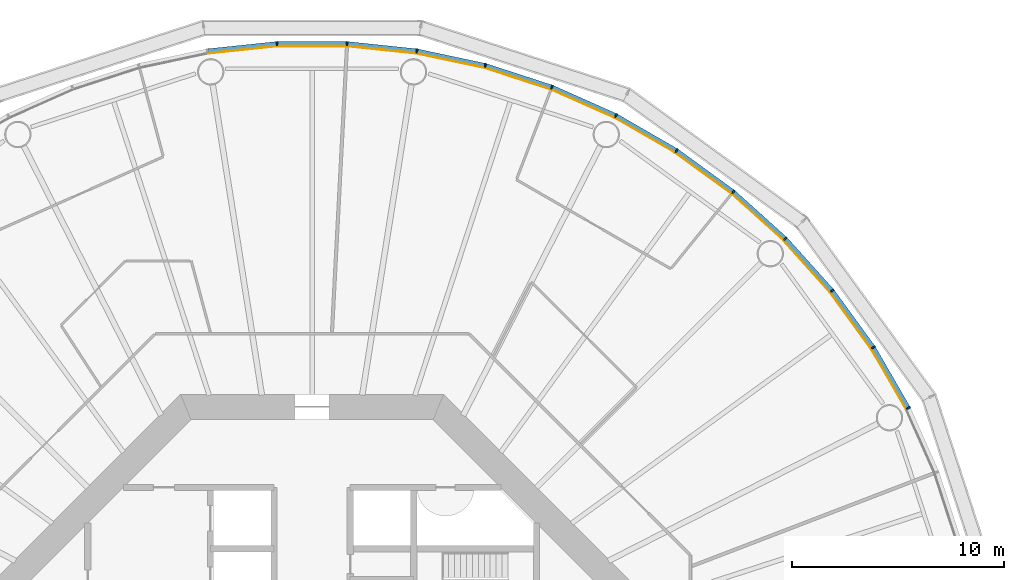
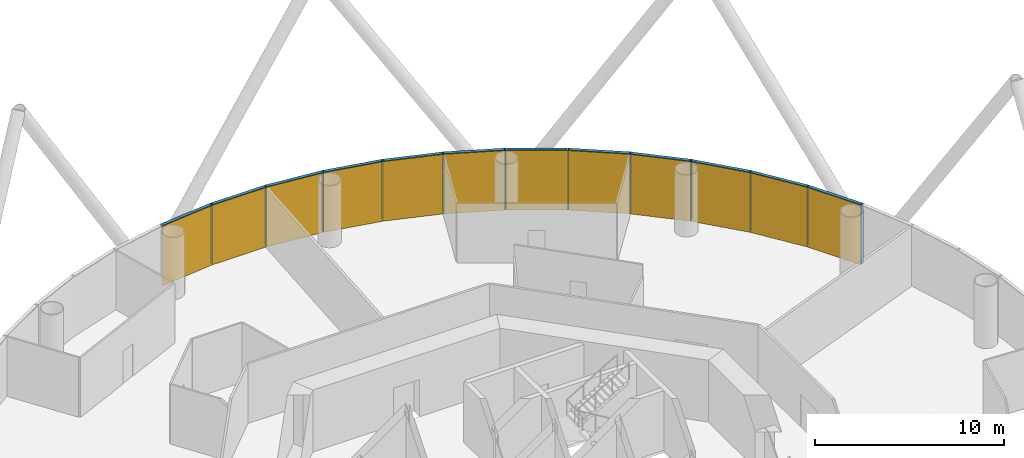
# One storey, part 13 of 14: 24 members, 4 curtain walls.
"""IFC4 building model written with IfcOpenShell, lengths in metres."""

from ifc_helpers import new_model, si_unit, direction, frame, origin, origin_2d, place, context, subcontext, project, spatial, polyline, rectangle, outline, extrude, material, layer, layer_set, material_profile, profile_set, type_object, element, aggregate, save


model = new_model("IFC4")

# Units and contexts
model_context = context("Model", 3, precision=1e-05, world=origin(), true_north=direction((0.0, 1.0)))
body_context = subcontext(model_context, "Body", "Model", "MODEL_VIEW")
ifc_project = project(units=[si_unit("LENGTHUNIT", "METRE"), si_unit("AREAUNIT", "SQUARE_METRE"), si_unit("VOLUMEUNIT", "CUBIC_METRE"), si_unit("PLANEANGLEUNIT", "RADIAN"), si_unit("MASSUNIT", "GRAM", prefix="KILO")], contexts=[model_context])

# Member
ifc_material_1 = material(Name="Anodised aluminium", Category="aluminium")
ifc_material_profile_1 = material_profile(ifc_material_1, rectangle(XDim=0.070068359375, YDim=0.199951171875, at=origin_2d()), Name="Mullion 70 x 200 mm anodised aluminium")
ifc_profile_set_1 = profile_set([ifc_material_profile_1], Name="Anodised aluminium")
member_type_1 = type_object("IfcMemberType", Name="Mullion 70 x 200 mm anodised aluminium", PredefinedType="MULLION", material=ifc_profile_set_1)
site_placement = place(None, origin())
building_placement = place(site_placement, origin())
storey_placement = place(building_placement, frame((0.0, 0.0, 80.0)))
member_1_placement = place(storey_placement, frame((118.15576171875, 94.34619140625, 0.0), z_axis=(0.0, 0.0, 1.0), x_axis=(-0.45399049974, 0.891006524188, 0.0)))
member_1 = element("IfcMember", 1, at=member_1_placement, type_object=member_type_1, Name="MULLION L17-03", PredefinedType="MULLION", context=body_context, shape_type="SweptSolid", body=[
    extrude(rectangle(XDim=0.070068359375, YDim=0.199951171875, at=origin_2d()), origin(), (0.0, 0.0, 1.0), 3.85009765625),
])

member_2_placement = place(storey_placement, frame((116.501953125, 97.210693359375, 0.0), z_axis=(0.0, 0.0, 1.0), x_axis=(-0.544639035015, 0.838670567945, 0.0)))
member_2 = element("IfcMember", 2, at=member_2_placement, type_object=member_type_1, Name="MULLION L17-04", PredefinedType="MULLION", context=body_context, shape_type="SweptSolid", body=[
    extrude(rectangle(XDim=0.070068359375, YDim=0.199951171875, at=origin_2d()), origin(), (0.0, 0.0, 1.0), 3.85009765625),
])

member_3_placement = place(storey_placement, frame((114.557861328125, 99.886474609375, 0.0), z_axis=(0.0, 0.0, 1.0), x_axis=(-0.62932039105, 0.777145961457, 0.0)))
member_3 = element("IfcMember", 3, at=member_3_placement, type_object=member_type_1, Name="MULLION L17-05", PredefinedType="MULLION", context=body_context, shape_type="SweptSolid", body=[
    extrude(rectangle(XDim=0.070068359375, YDim=0.199951171875, at=origin_2d()), origin(), (0.0, 0.0, 1.0), 3.85009765625),
])

member_4_placement = place(storey_placement, frame((112.344482421875, 102.344482421875, 0.0), z_axis=(0.0, 0.0, 1.0), x_axis=(-0.707106781187, 0.707106781187, 0.0)))
member_4 = element("IfcMember", 4, at=member_4_placement, type_object=member_type_1, Name="MULLION L17-06", PredefinedType="MULLION", context=body_context, shape_type="SweptSolid", body=[
    extrude(rectangle(XDim=0.070068359375, YDim=0.199951171875, at=origin_2d()), origin(), (0.0, 0.0, 1.0), 3.85009765625),
])

member_5_placement = place(storey_placement, frame((109.886474609375, 104.557861328125, 0.0), z_axis=(0.0, 0.0, 1.0), x_axis=(-0.777145961457, 0.62932039105, 0.0)))
member_5 = element("IfcMember", 5, at=member_5_placement, type_object=member_type_1, Name="MULLION L17-07", PredefinedType="MULLION", context=body_context, shape_type="SweptSolid", body=[
    extrude(rectangle(XDim=0.070068359375, YDim=0.199951171875, at=origin_2d()), origin(), (0.0, 0.0, 1.0), 3.85009765625),
])

member_6_placement = place(storey_placement, frame((107.210693359375, 106.501953125, 0.0), z_axis=(0.0, 0.0, 1.0), x_axis=(-0.838670567945, 0.544639035015, 0.0)))
member_6 = element("IfcMember", 6, at=member_6_placement, type_object=member_type_1, Name="MULLION L17-08", PredefinedType="MULLION", context=body_context, shape_type="SweptSolid", body=[
    extrude(rectangle(XDim=0.070068359375, YDim=0.199951171875, at=origin_2d()), origin(), (0.0, 0.0, 1.0), 3.85009765625),
])

member_7_placement = place(storey_placement, frame((104.34619140625, 108.15576171875, 0.0), z_axis=(0.0, 0.0, 1.0), x_axis=(-0.891006524188, 0.45399049974, 0.0)))
member_7 = element("IfcMember", 7, at=member_7_placement, type_object=member_type_1, Name="MULLION L17-09", PredefinedType="MULLION", context=body_context, shape_type="SweptSolid", body=[
    extrude(rectangle(XDim=0.070068359375, YDim=0.199951171875, at=origin_2d()), origin(), (0.0, 0.0, 1.0), 3.85009765625),
])

member_8_placement = place(storey_placement, frame((101.324462890625, 109.501220703125, 0.0), z_axis=(0.0, 0.0, 1.0), x_axis=(-0.933580426497, 0.358367949545, 0.0)))
member_8 = element("IfcMember", 8, at=member_8_placement, type_object=member_type_1, Name="MULLION L17-10", PredefinedType="MULLION", context=body_context, shape_type="SweptSolid", body=[
    extrude(rectangle(XDim=0.070068359375, YDim=0.199951171875, at=origin_2d()), origin(), (0.0, 0.0, 1.0), 3.85009765625),
])

member_9_placement = place(storey_placement, frame((98.1787109375, 110.523193359375, 0.0), z_axis=(0.0, 0.0, 1.0), x_axis=(-0.965925826289, 0.258819045103, 0.0)))
member_9 = element("IfcMember", 9, at=member_9_placement, type_object=member_type_1, Name="MULLION L17-11", PredefinedType="MULLION", context=body_context, shape_type="SweptSolid", body=[
    extrude(rectangle(XDim=0.070068359375, YDim=0.199951171875, at=origin_2d()), origin(), (0.0, 0.0, 1.0), 3.85009765625),
])

member_10_placement = place(storey_placement, frame((94.943359375, 111.2109375, 0.0), z_axis=(0.0, 0.0, 1.0), x_axis=(-0.987688340595, 0.15643446504, 0.0)))
member_10 = element("IfcMember", 10, at=member_10_placement, type_object=member_type_1, Name="MULLION L17-12", PredefinedType="MULLION", context=body_context, shape_type="SweptSolid", body=[
    extrude(rectangle(XDim=0.070068359375, YDim=0.199951171875, at=origin_2d()), origin(), (0.0, 0.0, 1.0), 3.85009765625),
])

member_11_placement = place(storey_placement, frame((91.65380859375, 111.556640625, 0.0), z_axis=(0.0, 0.0, 1.0), x_axis=(-0.998629534755, 0.052335956243, 0.0)))
member_11 = element("IfcMember", 11, at=member_11_placement, type_object=member_type_1, Name="MULLION L17-13", PredefinedType="MULLION", context=body_context, shape_type="SweptSolid", body=[
    extrude(rectangle(XDim=0.070068359375, YDim=0.199951171875, at=origin_2d()), origin(), (0.0, 0.0, 1.0), 3.85009765625),
])

member_12_placement = place(storey_placement, frame((88.34619140625, 111.556640625, 0.0), z_axis=(0.0, 0.0, 1.0), x_axis=(-0.998629534755, -0.052335956243, 0.0)))
member_12 = element("IfcMember", 12, at=member_12_placement, type_object=member_type_1, Name="MULLION L17-14", PredefinedType="MULLION", context=body_context, shape_type="SweptSolid", body=[
    extrude(rectangle(XDim=0.070068359375, YDim=0.199951171875, at=origin_2d()), origin(), (0.0, 0.0, 1.0), 3.85009765625),
])

ifc_material_2 = material(Name="Anodised aluminium", Category="aluminium")
ifc_material_profile_2 = material_profile(ifc_material_2, rectangle(XDim=0.199951171875, YDim=0.18994140625, at=origin_2d()), Name="Transom 190 x 200 mm anodised aluminium")
ifc_profile_set_2 = profile_set([ifc_material_profile_2], Name="Anodised aluminium")
member_type_2 = type_object("IfcMemberType", Name="Transom 190 x 200 mm anodised aluminium", PredefinedType="USERDEFINED", material=ifc_profile_set_2)
member_13_placement = place(storey_placement, frame((118.1357421875, 94.381103515625, 3.7548828125), z_axis=(-0.500004055213, 0.866023062494, 0.0), x_axis=(-0.866023062494, -0.500004055213, 0.0)))
member_13 = element("IfcMember", 13, at=member_13_placement, type_object=member_type_2, Name="TRANSOM L17-03", ObjectType="TRANSOM", PredefinedType="USERDEFINED", context=body_context, shape_type="SweptSolid", body=[
    extrude(rectangle(XDim=0.199951171875, YDim=0.18994140625, at=origin_2d()), origin(), (0.0, 0.0, 1.0), 3.22705078125),
])

member_14_placement = place(storey_placement, frame((116.478515625, 97.2431640625, 3.7548828125), z_axis=(-0.587802790201, 0.809004252048, 0.0), x_axis=(-0.809004252048, -0.587802790201, 0.0)))
member_14 = element("IfcMember", 14, at=member_14_placement, type_object=member_type_2, Name="TRANSOM L17-04", ObjectType="TRANSOM", PredefinedType="USERDEFINED", context=body_context, shape_type="SweptSolid", body=[
    extrude(rectangle(XDim=0.199951171875, YDim=0.18994140625, at=origin_2d()), origin(), (0.0, 0.0, 1.0), 3.227294921875),
])

member_15_placement = place(storey_placement, frame((114.531005859375, 99.91650390625, 3.7548828125), z_axis=(-0.669144438484, 0.743132370743, 0.0), x_axis=(-0.743132370743, -0.669144438484, 0.0)))
member_15 = element("IfcMember", 15, at=member_15_placement, type_object=member_type_2, Name="TRANSOM L17-05", ObjectType="TRANSOM", PredefinedType="USERDEFINED", context=body_context, shape_type="SweptSolid", body=[
    extrude(rectangle(XDim=0.199951171875, YDim=0.18994140625, at=origin_2d()), origin(), (0.0, 0.0, 1.0), 3.22705078125),
])

member_16_placement = place(storey_placement, frame((112.314697265625, 102.37158203125, 3.7548828125), z_axis=(-0.743132370743, 0.669144438484, 0.0), x_axis=(-0.669144438484, -0.743132370743, 0.0)))
member_16 = element("IfcMember", 16, at=member_16_placement, type_object=member_type_2, Name="TRANSOM L17-06", ObjectType="TRANSOM", PredefinedType="USERDEFINED", context=body_context, shape_type="SweptSolid", body=[
    extrude(rectangle(XDim=0.199951171875, YDim=0.18994140625, at=origin_2d()), origin(), (0.0, 0.0, 1.0), 3.22705078125),
])

member_17_placement = place(storey_placement, frame((109.85400390625, 104.58154296875, 3.7548828125), z_axis=(-0.809004252048, 0.587802790201, 0.0), x_axis=(-0.587802790201, -0.809004252048, 0.0)))
member_17 = element("IfcMember", 17, at=member_17_placement, type_object=member_type_2, Name="TRANSOM L17-07", ObjectType="TRANSOM", PredefinedType="USERDEFINED", context=body_context, shape_type="SweptSolid", body=[
    extrude(rectangle(XDim=0.199951171875, YDim=0.18994140625, at=origin_2d()), origin(), (0.0, 0.0, 1.0), 3.227294921875),
])

member_18_placement = place(storey_placement, frame((107.17578125, 106.522216796875, 3.7548828125), z_axis=(-0.866023062494, 0.500004055213, 0.0), x_axis=(-0.500004055213, -0.866023062494, 0.0)))
member_18 = element("IfcMember", 18, at=member_18_placement, type_object=member_type_2, Name="TRANSOM L17-08", ObjectType="TRANSOM", PredefinedType="USERDEFINED", context=body_context, shape_type="SweptSolid", body=[
    extrude(rectangle(XDim=0.199951171875, YDim=0.18994140625, at=origin_2d()), origin(), (0.0, 0.0, 1.0), 3.22705078125),
])

member_19_placement = place(storey_placement, frame((104.309326171875, 108.17236328125, 3.7548828125), z_axis=(-0.913549291349, 0.406728032322, 0.0), x_axis=(-0.406728032322, -0.913549291349, 0.0)))
member_19 = element("IfcMember", 19, at=member_19_placement, type_object=member_type_2, Name="TRANSOM L17-09", ObjectType="TRANSOM", PredefinedType="USERDEFINED", context=body_context, shape_type="SweptSolid", body=[
    extrude(rectangle(XDim=0.199951171875, YDim=0.18994140625, at=origin_2d()), origin(), (0.0, 0.0, 1.0), 3.22705078125),
])

member_20_placement = place(storey_placement, frame((101.2861328125, 109.513671875, 3.7548828125), z_axis=(-0.951046855117, 0.309046726844, 0.0), x_axis=(-0.309046726844, -0.951046855117, 0.0)))
member_20 = element("IfcMember", 20, at=member_20_placement, type_object=member_type_2, Name="TRANSOM L17-10", ObjectType="TRANSOM", PredefinedType="USERDEFINED", context=body_context, shape_type="SweptSolid", body=[
    extrude(rectangle(XDim=0.199951171875, YDim=0.18994140625, at=origin_2d()), origin(), (0.0, 0.0, 1.0), 3.22705078125),
])

member_21_placement = place(storey_placement, frame((98.139404296875, 110.53173828125, 3.7548828125), z_axis=(-0.978153082647, 0.207885898771, 0.0), x_axis=(-0.207885898771, -0.978153082647, 0.0)))
member_21 = element("IfcMember", 21, at=member_21_placement, type_object=member_type_2, Name="TRANSOM L17-11", ObjectType="TRANSOM", PredefinedType="USERDEFINED", context=body_context, shape_type="SweptSolid", body=[
    extrude(rectangle(XDim=0.199951171875, YDim=0.18994140625, at=origin_2d()), origin(), (0.0, 0.0, 1.0), 3.227294921875),
])

member_22_placement = place(storey_placement, frame((94.9033203125, 111.21533203125, 3.7548828125), z_axis=(-0.994519537956, 0.104550890115, 0.0), x_axis=(-0.104550890115, -0.994519537956, 0.0)))
member_22 = element("IfcMember", 22, at=member_22_placement, type_object=member_type_2, Name="TRANSOM L17-12", ObjectType="TRANSOM", PredefinedType="USERDEFINED", context=body_context, shape_type="SweptSolid", body=[
    extrude(rectangle(XDim=0.199951171875, YDim=0.18994140625, at=origin_2d()), origin(), (0.0, 0.0, 1.0), 3.22705078125),
])

member_23_placement = place(storey_placement, frame((91.613525390625, 111.556884765625, 3.7548828125), z_axis=(-1.0, 0.0, 0.0), x_axis=(0.0, -1.0, 0.0)))
member_23 = element("IfcMember", 23, at=member_23_placement, type_object=member_type_2, Name="TRANSOM L17-13", ObjectType="TRANSOM", PredefinedType="USERDEFINED", context=body_context, shape_type="SweptSolid", body=[
    extrude(rectangle(XDim=0.199951171875, YDim=0.18994140625, at=origin_2d()), origin(), (0.0, 0.0, 1.0), 3.22705078125),
])

member_24_placement = place(storey_placement, frame((88.30615234375, 111.552734375, 3.7548828125), z_axis=(-0.994519537956, -0.104550890115, 0.0), x_axis=(0.104550890115, -0.994519537956, 0.0)))
member_24 = element("IfcMember", 24, at=member_24_placement, type_object=member_type_2, Name="TRANSOM L17-14", ObjectType="TRANSOM", PredefinedType="USERDEFINED", context=body_context, shape_type="SweptSolid", body=[
    extrude(rectangle(XDim=0.199951171875, YDim=0.18994140625, at=origin_2d()), origin(), (0.0, 0.0, 1.0), 3.22705078125),
])

# Site, building, storey
site = spatial("IfcSite", under=ifc_project, at=site_placement, CompositionType="ELEMENT")
building = spatial("IfcBuilding", under=site, at=building_placement, Name="Entoto Ring Tower", CompositionType="ELEMENT")
storey = spatial("IfcBuildingStorey", under=building, at=storey_placement, Name="L17", CompositionType="ELEMENT", Elevation=80.0)

# Curtain wall
ifc_material_3 = material(Name="Clear low-iron glass", Category="glass")
ifc_layer = layer(ifc_material_3, 0.035888671875)
ifc_layer_set = layer_set([ifc_layer], Name="Clear low-iron glass")
curtain_wall_type = type_object("IfcCurtainWallType", Name="Curtain wall system CW2 glazing 36 mm", PredefinedType="NOTDEFINED", material=ifc_layer_set)
curtain_wall_1_placement = place(storey_placement, origin())
curtain_wall_1 = element("IfcCurtainWall", 25, at=curtain_wall_1_placement, inside=storey, type_object=curtain_wall_type, Name="CW2 L17-02", PredefinedType="NOTDEFINED", context=body_context, shape_type="SweptSolid", body=[
    extrude(outline(polyline([(118.066650390625, 94.30078125), (116.418212890625, 97.15625), (114.47998046875, 99.823486328125), (112.27392578125, 102.27392578125), (112.248291015625, 102.248291015625), (114.4521484375, 99.801025390625), (116.387939453125, 97.136474609375), (118.03466796875, 94.284423828125), (118.066650390625, 94.30078125)])), origin(), (0.0, 0.0, 1.0), 3.85009765625),
])

aggregate(curtain_wall_1, [member_1, member_2, member_3, member_13, member_14, member_15])

curtain_wall_2_placement = place(storey_placement, origin())
curtain_wall_2 = element("IfcCurtainWall", 26, at=curtain_wall_2_placement, inside=storey, type_object=curtain_wall_type, Name="CW2 L17-03", PredefinedType="NOTDEFINED", context=body_context, shape_type="SweptSolid", body=[
    extrude(outline(polyline([(112.27392578125, 102.27392578125), (109.823486328125, 104.47998046875), (107.15625, 106.418212890625), (104.30078125, 108.066650390625), (104.284423828125, 108.03466796875), (107.136474609375, 106.387939453125), (109.801025390625, 104.4521484375), (112.248291015625, 102.248291015625), (112.27392578125, 102.27392578125)])), origin(), (0.0, 0.0, 1.0), 3.85009765625),
])

aggregate(curtain_wall_2, [member_4, member_5, member_6, member_16, member_17, member_18])

curtain_wall_3_placement = place(storey_placement, origin())
curtain_wall_3 = element("IfcCurtainWall", 27, at=curtain_wall_3_placement, inside=storey, type_object=curtain_wall_type, Name="CW2 L17-04", PredefinedType="NOTDEFINED", context=body_context, shape_type="SweptSolid", body=[
    extrude(outline(polyline([(104.30078125, 108.066650390625), (101.28857421875, 109.40771484375), (98.15283203125, 110.4267578125), (94.927734375, 111.1123046875), (94.922119140625, 111.07666015625), (98.1435546875, 110.391845703125), (101.275634765625, 109.3740234375), (104.284423828125, 108.03466796875), (104.30078125, 108.066650390625)])), origin(), (0.0, 0.0, 1.0), 3.85009765625),
])

aggregate(curtain_wall_3, [member_7, member_8, member_9, member_19, member_20, member_21])

curtain_wall_4_placement = place(storey_placement, origin())
curtain_wall_4 = element("IfcCurtainWall", 28, at=curtain_wall_4_placement, inside=storey, type_object=curtain_wall_type, Name="CW2 L17-05", PredefinedType="NOTDEFINED", context=body_context, shape_type="SweptSolid", body=[
    extrude(outline(polyline([(94.927734375, 111.1123046875), (91.648681640625, 111.456787109375), (88.351318359375, 111.456787109375), (85.072265625, 111.1123046875), (85.077880859375, 111.07666015625), (88.353271484375, 111.4208984375), (91.646728515625, 111.4208984375), (94.922119140625, 111.07666015625), (94.927734375, 111.1123046875)])), origin(), (0.0, 0.0, 1.0), 3.85009765625),
])

aggregate(curtain_wall_4, [member_10, member_11, member_12, member_22, member_23, member_24])

save(model, "model.ifc")
